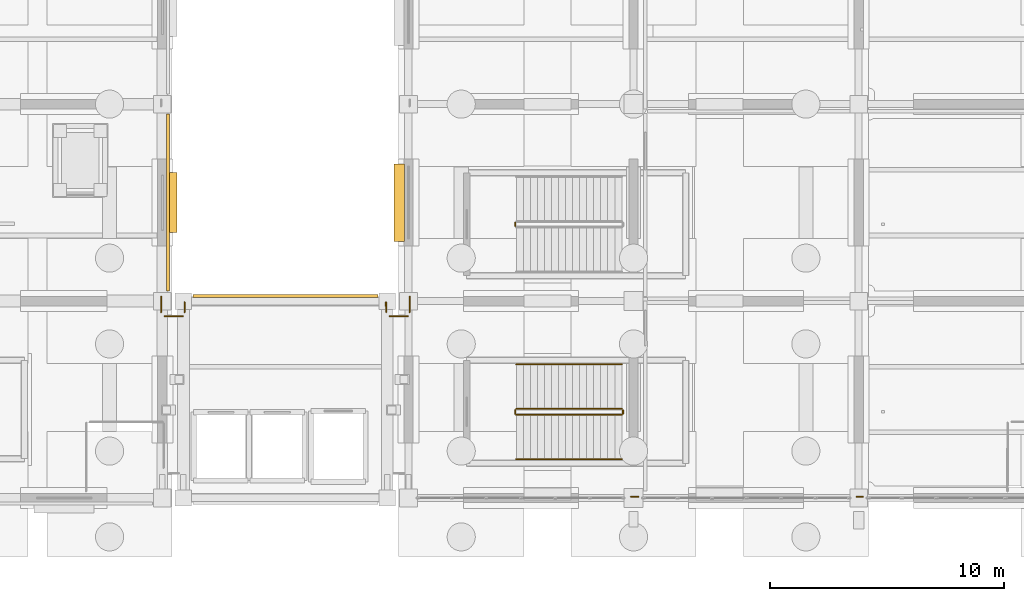
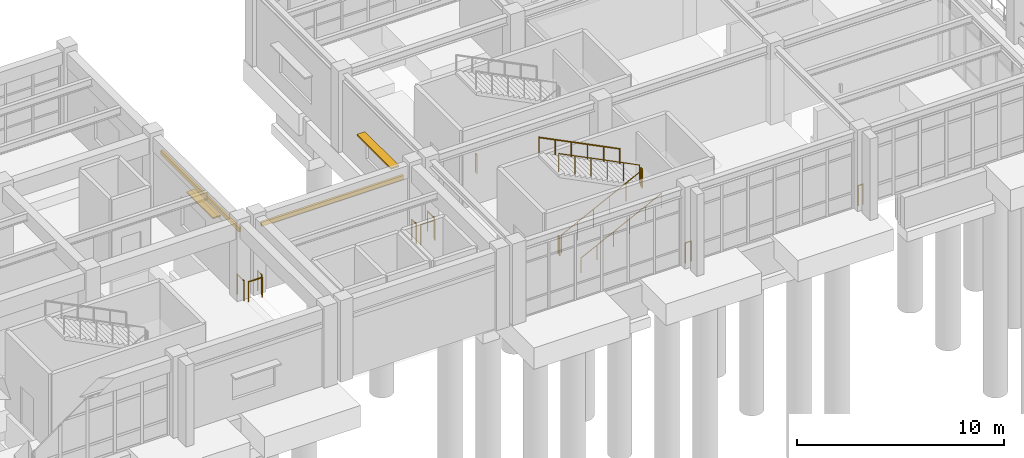
# One storey, part 104 of 111: 15 railings, 2 coverings, 2 shading devices.
"""IFC4 building model written with IfcOpenShell, lengths in metres."""

import ifcopenshell
import ifcopenshell.guid

model = None  # the IFC model being written
_history = None  # IfcOwnerHistory: only IFC2X3 demands one
_inside = {}  # id of a spatial element -> (the spatial element, [elements in it])
_under = {}  # id of a project, library or spatial element -> (it, [spatial elements below it])
_declared = {}  # id of a project -> (the project, [libraries it declares])
_typed = {}  # id of a type object -> (the type object, [elements of that type])
_made_of = {}  # id of a material, layer set ... -> (it, [elements and type objects made of it])


def new_model(schema):
    """Start an empty IFC model of exactly this schema.

    Asked for "IFC4X3", IfcOpenShell would pick the latest addendum, in which some entities
    have other attributes; the version numbers below select the first issue.
    IFC2X3 requires an IfcOwnerHistory on every rooted entity: one is made here for all.
    """
    global model, _history
    if schema == "IFC4X3":
        model = ifcopenshell.file(schema_version=(4, 3, 0, 0))
    else:
        model = ifcopenshell.file(schema=schema)
    _inside.clear()
    _under.clear()
    _declared.clear()
    _typed.clear()
    _made_of.clear()
    _history = None
    if model.schema == "IFC2X3":
        org = make("IfcOrganization", Name="unknown")
        user = make(
            "IfcPersonAndOrganization",
            ThePerson=make("IfcPerson", FamilyName="unknown"),
            TheOrganization=org,
        )
        app = make(
            "IfcApplication",
            ApplicationDeveloper=org,
            Version="unknown",
            ApplicationFullName="unknown",
            ApplicationIdentifier="unknown",
        )
        _history = make(
            "IfcOwnerHistory",
            OwningUser=user,
            OwningApplication=app,
            ChangeAction="ADDED",
            CreationDate=0,
        )
    return model


def make(cls, **values):
    """One entity of the class cls with the attributes given. An attribute that is None is left unset."""
    return model.create_entity(
        cls, **{name: value for name, value in values.items() if value is not None}
    )


def rooted(cls, **values):
    """An entity with a GlobalId (a new one), such as an element, a storey or a relation."""
    return make(cls, GlobalId=ifcopenshell.guid.new(), OwnerHistory=_history, **values)


def si_unit(unit_type, name, prefix=None):
    """IfcSIUnit, for example si_unit("LENGTHUNIT", "METRE", prefix="MILLI")."""
    return make("IfcSIUnit", UnitType=unit_type, Prefix=prefix, Name=name)


def assignment(units):
    """IfcUnitAssignment: the units of a project."""
    return None if units is None else make("IfcUnitAssignment", Units=units)


def point(xyz):
    """IfcCartesianPoint."""
    return None if xyz is None else make("IfcCartesianPoint", Coordinates=xyz)


def direction(xyz):
    """IfcDirection."""
    return None if xyz is None else make("IfcDirection", DirectionRatios=xyz)


def frame(location, z_axis=None, x_axis=None):
    """IfcAxis2Placement3D, a coordinate frame: its origin and axes. An axis left out is left unset."""
    return make(
        "IfcAxis2Placement3D",
        Location=point(location),
        Axis=direction(z_axis),
        RefDirection=direction(x_axis),
    )


def frame_2d(location, x_axis=None):
    """IfcAxis2Placement2D, a coordinate frame in the plane: its origin and x axis."""
    return make(
        "IfcAxis2Placement2D", Location=point(location), RefDirection=direction(x_axis)
    )


def origin():
    """The frame at (0, 0, 0) with its axes left unset."""
    return frame((0.0, 0.0, 0.0))


def origin_2d():
    """The frame at (0, 0) in the plane with its x axis left unset."""
    return frame_2d((0.0, 0.0))


def place(relative_to, where):
    """IfcLocalPlacement: puts the frame where relative to a parent placement (None: the world)."""
    return make(
        "IfcLocalPlacement", PlacementRelTo=relative_to, RelativePlacement=where
    )


def context(
    kind, dimensions, precision=None, world=None, true_north=None, identifier=None
):
    """IfcGeometricRepresentationContext, for example the 3D "Model" context."""
    return make(
        "IfcGeometricRepresentationContext",
        ContextIdentifier=identifier,
        ContextType=kind,
        CoordinateSpaceDimension=dimensions,
        Precision=precision,
        WorldCoordinateSystem=world,
        TrueNorth=true_north,
    )


def subcontext(parent, identifier, kind, view, scale=None):
    """IfcGeometricRepresentationSubContext, for example "Body" below "Model"."""
    return make(
        "IfcGeometricRepresentationSubContext",
        ContextIdentifier=identifier,
        ContextType=kind,
        ParentContext=parent,
        TargetScale=scale,
        TargetView=view,
    )


def project(units=None, contexts=None):
    """IfcProject with its units and contexts."""
    return rooted(
        "IfcProject",
        Name="project",
        RepresentationContexts=contexts,
        UnitsInContext=assignment(units),
    )


def spatial(cls, under=None, at=None, **own):
    """A site, building, storey or space (cls), placed at a placement, below another one or the project."""
    s = rooted(cls, ObjectPlacement=at, **own)
    if under is not None:
        _under.setdefault(under.id(), (under, []))[1].append(s)
    return s


def profile(cls, at=None, kind="AREA", **sizes):
    """A parametric profile (cls). Its sizes go by their IFC names, for example OverallWidth=200.0."""
    return make(cls, ProfileType=kind, Position=at, **sizes)


def rectangle(**sizes):
    """IfcRectangleProfileDef."""
    return profile("IfcRectangleProfileDef", **sizes)


def circle(**sizes):
    """IfcCircleProfileDef."""
    return profile("IfcCircleProfileDef", **sizes)


def extrude(swept, where, along, depth):
    """IfcExtrudedAreaSolid: the profile swept, set in the frame where, extruded along a direction by depth."""
    return make(
        "IfcExtrudedAreaSolid",
        SweptArea=swept,
        Position=where,
        ExtrudedDirection=direction(along),
        Depth=depth,
    )


def shape(context_of_items, identifier, shape_type, items):
    """IfcShapeRepresentation: the items that make up one representation, for example the "Body"."""
    return make(
        "IfcShapeRepresentation",
        ContextOfItems=context_of_items,
        RepresentationIdentifier=identifier,
        RepresentationType=shape_type,
        Items=items,
    )


def material(Name=None, Category=None):
    """IfcMaterial."""
    return make("IfcMaterial", Name=Name, Category=Category)


def layer(
    of_material, thickness, ventilated=None, Name=None, Category=None, Priority=None
):
    """IfcMaterialLayer: one layer of a wall or slab, of a material (None: an air gap)."""
    return make(
        "IfcMaterialLayer",
        Material=of_material,
        LayerThickness=thickness,
        IsVentilated=ventilated,
        Name=Name,
        Category=Category,
        Priority=Priority,
    )


def layer_set(layers, Name=None):
    """IfcMaterialLayerSet."""
    return make("IfcMaterialLayerSet", MaterialLayers=layers, LayerSetName=Name)


def made_of(thing, what):
    """Note that an element or type object is made of a material, layer set ...; save() writes the relation."""
    if what is not None:
        _made_of.setdefault(what.id(), (what, []))[1].append(thing)
    return thing


def type_object(cls, material=None, **own):
    """A type object (cls), such as IfcWallType, which elements share."""
    return made_of(rooted(cls, **own), material)


def element(
    cls,
    number,
    at=None,
    inside=None,
    cuts=None,
    type_object=None,
    material=None,
    context=None,
    identifier="Body",
    shape_type=None,
    held_by="IfcProductDefinitionShape",
    body=None,
    shapes=None,
    **own,
):
    """One element of the class cls, such as IfcWall. Its Tag is "e" and its number.

    at: its placement. inside: the storey or other place that contains it. cuts: it is an
    opening in that element (IfcRelVoidsElement). A single representation is given by context,
    identifier, shape_type and body (its items); several are given by shapes. held_by: the class
    of the entity that holds the representations. save() writes the other relations.
    """
    e = rooted(cls, Tag="e%d" % number, ObjectPlacement=at, **own)
    if body is not None:
        shapes = [shape(context, identifier, shape_type, body)]
    if shapes is not None:
        e.Representation = make(held_by, Representations=shapes)
    if inside is not None:
        _inside.setdefault(inside.id(), (inside, []))[1].append(e)
    if cuts is not None:
        rooted(
            "IfcRelVoidsElement", RelatingBuildingElement=cuts, RelatedOpeningElement=e
        )
    if type_object is not None:
        _typed.setdefault(type_object.id(), (type_object, []))[1].append(e)
    return made_of(e, material)


def aggregate(whole, parts):
    """IfcRelAggregates: a whole, such as a stair, and the parts it consists of."""
    return rooted("IfcRelAggregates", RelatingObject=whole, RelatedObjects=parts)


def save(model, path):
    """Write the relations noted so far, then the file.

    IfcRelAggregates (storeys below a building ...), IfcRelContainedInSpatialStructure (elements
    in a storey), IfcRelDefinesByType, IfcRelAssociatesMaterial and IfcRelDeclares: one each for
    every whole, place, type object, material and project.
    """
    for whole, parts in _under.values():
        aggregate(whole, parts)
    for where, things in _inside.values():
        rooted(
            "IfcRelContainedInSpatialStructure",
            RelatedElements=things,
            RelatingStructure=where,
        )
    for kind, things in _typed.values():
        rooted("IfcRelDefinesByType", RelatedObjects=things, RelatingType=kind)
    for what, things in _made_of.values():
        rooted("IfcRelAssociatesMaterial", RelatedObjects=things, RelatingMaterial=what)
    for by, libraries in _declared.values():
        rooted("IfcRelDeclares", RelatingContext=by, RelatedDefinitions=libraries)
    model.write(path)


model = new_model("IFC4")

# Units and contexts
model_context = context("Model", 3, precision=1e-05, world=origin(), true_north=direction((0.0, 1.0)))
body_context = subcontext(model_context, "Body", "Model", "MODEL_VIEW")
ifc_project = project(units=[si_unit("LENGTHUNIT", "METRE"), si_unit("AREAUNIT", "SQUARE_METRE"), si_unit("VOLUMEUNIT", "CUBIC_METRE"), si_unit("PLANEANGLEUNIT", "RADIAN"), si_unit("MASSUNIT", "GRAM", prefix="KILO")], contexts=[model_context])

# Site, building, storey
site_placement = place(None, origin())
site = spatial("IfcSite", under=ifc_project, at=site_placement, CompositionType="ELEMENT")
building_placement = place(site_placement, origin())
building = spatial("IfcBuilding", under=site, at=building_placement, Name="Canglan Escarpment Cableway Terminal", CompositionType="ELEMENT")
storey_placement = place(building_placement, frame((0.0, 0.0, 4.800048828125)))
storey = spatial("IfcBuildingStorey", under=building, at=storey_placement, Name="L01", CompositionType="ELEMENT", Elevation=4.800048828125)

# Coverings
ifc_material_1 = material(Name="Carved classical limestone cornice", Category="masonry")
ifc_layer_1 = layer(ifc_material_1, 0.1201171875, Name="Carved classical limestone cornice")
ifc_layer_set_1 = layer_set([ifc_layer_1], Name="Carved classical limestone cornice")
covering_type = type_object("IfcCoveringType", Name="COV-CORNICE-STONE", PredefinedType="CLADDING", material=ifc_layer_set_1)
covering_1_placement = place(storey_placement, frame((136.93994140625, 20.60009765625, 3.4248046875), z_axis=(0.0, 0.0, 1.0), x_axis=(0.0, 1.0, 0.0)))
element("IfcCovering", 1, at=covering_1_placement, inside=storey, type_object=covering_type, Name="Classical carved limestone cornice CL-01", PredefinedType="CLADDING", context=body_context, shape_type="SweptSolid", body=[
    extrude(rectangle(XDim=7.550048828125, YDim=0.1201171875, at=origin_2d()), origin(), (0.0, 0.0, 1.0), 0.239990234375),
])
covering_2_placement = place(storey_placement, frame((141.949951171875, 16.6201171875, 3.52490234375), z_axis=(0.0, 0.0, 1.0), x_axis=(-1.0, 0.0, 0.0)))
element("IfcCovering", 2, at=covering_2_placement, inside=storey, type_object=covering_type, Name="Classical carved limestone cornice CL-01", PredefinedType="CLADDING", context=body_context, shape_type="SweptSolid", body=[
    extrude(rectangle(XDim=7.89990234375, YDim=0.1201171875, at=origin_2d()), origin(), (0.0, 0.0, 1.0), 0.239990234375),
])

# Railings
ifc_material_2 = material(Name="Carved limestone and anodized bronze balustrade", Category="masonry")
railing_type_1 = type_object("IfcRailingType", Name="RL-EXT-BALUSTRADE-1200", PredefinedType="BALUSTRADE", material=ifc_material_2)
railing_1_placement = place(storey_placement, frame((136.64990234375, 16.5849609375, 0.0)))
element("IfcRailing", 3, at=railing_1_placement, inside=storey, type_object=railing_type_1, Name="Classical terrace balustrade guard GD-01 (L01)", PredefinedType="BALUSTRADE", context=body_context, shape_type="SweptSolid", body=[
    extrude(circle(Radius=0.02392578125, at=origin_2d()), frame((0.0, 0.0, 1.17578125), z_axis=(0.0, -1.0, 0.0), x_axis=(1.0, 0.0, 0.0)), (0.0, 0.0, 1.0), 0.655029296875),
    extrude(circle(Radius=0.02099609375, at=origin_2d()), origin(), (0.0, 0.0, 1.0), 1.15185546875),
    extrude(circle(Radius=0.02099609375, at=origin_2d()), frame((0.0, -0.655029296875, 0.0)), (0.0, 0.0, 1.0), 1.15185546875),
])
railing_2_placement = place(storey_placement, frame((136.79931640625, 15.756103515625, 0.0)))
element("IfcRailing", 4, at=railing_2_placement, inside=storey, type_object=railing_type_1, Name="Classical terrace balustrade guard GD-01 (L01)", PredefinedType="BALUSTRADE", context=body_context, shape_type="SweptSolid", body=[
    extrude(circle(Radius=0.02392578125, at=origin_2d()), frame((0.0, 0.0, 1.17578125), z_axis=(0.999968646904, -0.007918662076, 0.0), x_axis=(0.007918662076, 0.999968646904, 0.0)), (0.0, 0.0, 1.0), 0.770751953125),
    extrude(circle(Radius=0.02099609375, at=origin_2d()), origin(), (0.0, 0.0, 1.0), 1.15185546875),
    extrude(circle(Radius=0.02099609375, at=origin_2d()), frame((0.770751953125, -0.006103515625, 0.0)), (0.0, 0.0, 1.0), 1.15185546875),
])
railing_3_placement = place(storey_placement, frame((137.64990234375, 15.929931640625, 0.0)))
element("IfcRailing", 5, at=railing_3_placement, inside=storey, type_object=railing_type_1, Name="Classical terrace balustrade guard GD-01 (L01)", PredefinedType="BALUSTRADE", context=body_context, shape_type="SweptSolid", body=[
    extrude(circle(Radius=0.02392578125, at=origin_2d()), frame((0.0, 0.0, 1.17578125), z_axis=(0.0, 1.0, 0.0), x_axis=(-1.0, 0.0, 0.0)), (0.0, 0.0, 1.0), 0.41796875),
    extrude(circle(Radius=0.02099609375, at=origin_2d()), origin(), (0.0, 0.0, 1.0), 1.15185546875),
    extrude(circle(Radius=0.02099609375, at=origin_2d()), frame((0.0, 0.41796875, 0.0)), (0.0, 0.0, 1.0), 1.15185546875),
])
railing_4_placement = place(storey_placement, frame((146.239990234375, 16.35009765625, 0.0)))
element("IfcRailing", 6, at=railing_4_placement, inside=storey, type_object=railing_type_1, Name="Classical terrace balustrade guard GD-01 (L01)", PredefinedType="BALUSTRADE", context=body_context, shape_type="SweptSolid", body=[
    extrude(circle(Radius=0.02392578125, at=origin_2d()), frame((0.0, 0.0, 1.17578125), z_axis=(0.023816600887, -0.999716344531, 0.0), x_axis=(0.999716344531, 0.023816600887, 0.0)), (0.0, 0.0, 1.0), 0.420166015625),
    extrude(circle(Radius=0.02099609375, at=origin_2d()), origin(), (0.0, 0.0, 1.0), 1.15185546875),
    extrude(circle(Radius=0.02099609375, at=origin_2d()), frame((0.010009765625, -0.420166015625, 0.0)), (0.0, 0.0, 1.0), 1.15185546875),
])
railing_5_placement = place(storey_placement, frame((146.3994140625, 15.756103515625, 0.0)))
element("IfcRailing", 7, at=railing_5_placement, inside=storey, type_object=railing_type_1, Name="Classical terrace balustrade guard GD-01 (L01)", PredefinedType="BALUSTRADE", context=body_context, shape_type="SweptSolid", body=[
    extrude(circle(Radius=0.02392578125, at=origin_2d()), frame((0.0, 0.0, 1.17578125), z_axis=(0.999968627033, -0.007921171, 0.0), x_axis=(0.007921171, 0.999968627033, 0.0)), (0.0, 0.0, 1.0), 0.7705078125),
    extrude(circle(Radius=0.02099609375, at=origin_2d()), origin(), (0.0, 0.0, 1.0), 1.15185546875),
    extrude(circle(Radius=0.02099609375, at=origin_2d()), frame((0.7705078125, -0.006103515625, 0.0)), (0.0, 0.0, 1.0), 1.15185546875),
])
railing_6_placement = place(storey_placement, frame((147.25, 15.929931640625, 0.0)))
element("IfcRailing", 8, at=railing_6_placement, inside=storey, type_object=railing_type_1, Name="Classical terrace balustrade guard GD-01 (L01)", PredefinedType="BALUSTRADE", context=body_context, shape_type="SweptSolid", body=[
    extrude(circle(Radius=0.02392578125, at=origin_2d()), frame((0.0, 0.0, 1.17578125), z_axis=(0.0, 1.0, 0.0), x_axis=(-1.0, 0.0, 0.0)), (0.0, 0.0, 1.0), 0.655029296875),
    extrude(circle(Radius=0.02099609375, at=origin_2d()), origin(), (0.0, 0.0, 1.0), 1.15185546875),
    extrude(circle(Radius=0.02099609375, at=origin_2d()), frame((0.0, 0.655029296875, 0.0)), (0.0, 0.0, 1.0), 1.15185546875),
])
railing_7_placement = place(storey_placement, frame((166.5849609375, 8.050048828125, 0.0)))
element("IfcRailing", 9, at=railing_7_placement, inside=storey, type_object=railing_type_1, Name="Classical terrace balustrade guard GD-01 (L01)", PredefinedType="BALUSTRADE", context=body_context, shape_type="SweptSolid", body=[
    extrude(circle(Radius=0.02392578125, at=origin_2d()), frame((0.0, 0.0, 1.17578125), z_axis=(-1.0, 0.0, 0.0), x_axis=(0.0, -1.0, 0.0)), (0.0, 0.0, 1.0), 0.27001953125),
    extrude(circle(Radius=0.02099609375, at=origin_2d()), origin(), (0.0, 0.0, 1.0), 1.15185546875),
    extrude(circle(Radius=0.02099609375, at=origin_2d()), frame((-0.27001953125, 0.0, 0.0)), (0.0, 0.0, 1.0), 1.15185546875),
])
railing_8_placement = place(storey_placement, frame((157.010009765625, 8.050048828125, 0.0)))
element("IfcRailing", 10, at=railing_8_placement, inside=storey, type_object=railing_type_1, Name="Classical terrace balustrade guard GD-01 (L01)", PredefinedType="BALUSTRADE", context=body_context, shape_type="SweptSolid", body=[
    extrude(circle(Radius=0.02392578125, at=origin_2d()), frame((0.0, 0.0, 1.17578125), z_axis=(-1.0, 0.0, 0.0), x_axis=(0.0, -1.0, 0.0)), (0.0, 0.0, 1.0), 0.320068359375),
    extrude(circle(Radius=0.02099609375, at=origin_2d()), origin(), (0.0, 0.0, 1.0), 1.15185546875),
    extrude(circle(Radius=0.02099609375, at=origin_2d()), frame((-0.320068359375, 0.0, 0.0)), (0.0, 0.0, 1.0), 1.15185546875),
])
ifc_material_3 = material(Name="Powder-coated steel stair balustrade", Category="steel")
railing_type_2 = type_object("IfcRailingType", Name="RL-STR-GUARD-1100", PredefinedType="BALUSTRADE", material=ifc_material_3)
railing_9_placement = place(storey_placement, frame((151.800048828125, 11.550048828125, 0.14990234375)))
element("IfcRailing", 11, at=railing_9_placement, inside=storey, type_object=railing_type_2, Name="L01 ST-08 stair guard 1", PredefinedType="BALUSTRADE", context=body_context, shape_type="SweptSolid", body=[
    extrude(circle(Radius=0.02392578125, at=origin_2d()), frame((0.0, 0.0, 1.076171875), z_axis=(0.894427191, 0.0, 0.4472135955), x_axis=(0.0, 1.0, 0.0)), (0.0, 0.0, 1.0), 5.03125),
    extrude(circle(Radius=0.02099609375, at=origin_2d()), origin(), (0.0, 0.0, 1.0), 1.052001953125),
    extrude(circle(Radius=0.02099609375, at=origin_2d()), frame((0.89990234375, 0.0, 0.449951171875)), (0.0, 0.0, 1.0), 1.052001953125),
    extrude(circle(Radius=0.02099609375, at=origin_2d()), frame((1.800048828125, 0.0, 0.89990234375)), (0.0, 0.0, 1.0), 1.052001953125),
    extrude(circle(Radius=0.02099609375, at=origin_2d()), frame((2.699951171875, 0.0, 1.35009765625)), (0.0, 0.0, 1.0), 1.052001953125),
    extrude(circle(Radius=0.02099609375, at=origin_2d()), frame((3.60009765625, 0.0, 1.800048828125)), (0.0, 0.0, 1.0), 1.052001953125),
    extrude(circle(Radius=0.02099609375, at=origin_2d()), frame((4.5, 0.0, 2.25)), (0.0, 0.0, 1.0), 1.052001953125),
])
railing_10_placement = place(storey_placement, frame((156.35009765625, 11.60009765625, 2.39990234375)))
element("IfcRailing", 12, at=railing_10_placement, inside=storey, type_object=railing_type_2, Name="L01 ST-08 stair guard 2", PredefinedType="BALUSTRADE", context=body_context, shape_type="SweptSolid", body=[
    extrude(circle(Radius=0.02392578125, at=origin_2d()), frame((0.0, 0.0, 1.076171875), z_axis=(0.0, 1.0, 0.0), x_axis=(-1.0, 0.0, 0.0)), (0.0, 0.0, 1.0), 0.14990234375),
    extrude(circle(Radius=0.02099609375, at=origin_2d()), origin(), (0.0, 0.0, 1.0), 1.052001953125),
    extrude(circle(Radius=0.02099609375, at=origin_2d()), frame((0.0, 0.14990234375, 0.0)), (0.0, 0.0, 1.0), 1.052001953125),
])
railing_11_placement = place(storey_placement, frame((156.300048828125, 11.800048828125, 2.550048828125)))
element("IfcRailing", 13, at=railing_11_placement, inside=storey, type_object=railing_type_2, Name="L01 ST-08 stair guard 3", PredefinedType="BALUSTRADE", context=body_context, shape_type="SweptSolid", body=[
    extrude(circle(Radius=0.02392578125, at=origin_2d()), frame((0.0, 0.0, 1.076171875), z_axis=(-0.894427191, 0.0, 0.4472135955), x_axis=(0.0, -1.0, 0.0)), (0.0, 0.0, 1.0), 5.03125),
    extrude(circle(Radius=0.02099609375, at=origin_2d()), origin(), (0.0, 0.0, 1.0), 1.052001953125),
    extrude(circle(Radius=0.02099609375, at=origin_2d()), frame((-0.89990234375, 0.0, 0.449951171875)), (0.0, 0.0, 1.0), 1.052001953125),
    extrude(circle(Radius=0.02099609375, at=origin_2d()), frame((-1.800048828125, 0.0, 0.89990234375)), (0.0, 0.0, 1.0), 1.052001953125),
    extrude(circle(Radius=0.02099609375, at=origin_2d()), frame((-2.699951171875, 0.0, 1.35009765625)), (0.0, 0.0, 1.0), 1.052001953125),
    extrude(circle(Radius=0.02099609375, at=origin_2d()), frame((-3.60009765625, 0.0, 1.800048828125)), (0.0, 0.0, 1.0), 1.052001953125),
    extrude(circle(Radius=0.02099609375, at=origin_2d()), frame((-4.5, 0.0, 2.25)), (0.0, 0.0, 1.0), 1.052001953125),
])
for number, where, name in (
    (14, (151.75, 11.60009765625, 0.0), "L01 ST-08 stair guard 4"),
    (15, (151.75, 19.60009765625, 0.0), "L01 ST-09 stair guard 4"),
):
    element("IfcRailing", number, at=place(storey_placement, frame(where)), inside=storey, type_object=railing_type_2, Name=name, PredefinedType="BALUSTRADE", context=body_context, shape_type="SweptSolid", body=[
        extrude(circle(Radius=0.02392578125, at=origin_2d()), frame((0.0, 0.0, 1.076171875), z_axis=(0.0, 1.0, 0.0), x_axis=(-1.0, 0.0, 0.0)), (0.0, 0.0, 1.0), 0.14990234375),
        extrude(circle(Radius=0.02099609375, at=origin_2d()), origin(), (0.0, 0.0, 1.0), 1.052001953125),
        extrude(circle(Radius=0.02099609375, at=origin_2d()), frame((0.0, 0.14990234375, 0.0)), (0.0, 0.0, 1.0), 1.052001953125),
    ])
ifc_material_4 = material(Name="Brushed stainless steel 304 handrail", Category="steel")
railing_type_3 = type_object("IfcRailingType", Name="RL-STR-HR-900", PredefinedType="HANDRAIL", material=ifc_material_4)
railing_12_placement = place(storey_placement, frame((151.800048828125, 9.64990234375, 0.14990234375)))
element("IfcRailing", 16, at=railing_12_placement, inside=storey, type_object=railing_type_3, Name="L01 ST-08 stair handrail 1", PredefinedType="HANDRAIL", context=body_context, shape_type="SweptSolid", body=[
    extrude(circle(Radius=0.02392578125, at=origin_2d()), frame((0.0, 0.0, 0.8759765625), z_axis=(0.894427191, 0.0, 0.4472135955), x_axis=(0.0, 1.0, 0.0)), (0.0, 0.0, 1.0), 5.03125),
    extrude(circle(Radius=0.02099609375, at=origin_2d()), origin(), (0.0, 0.0, 1.0), 0.851806640625),
    extrude(circle(Radius=0.02099609375, at=origin_2d()), frame((0.89990234375, 0.0, 0.449951171875)), (0.0, 0.0, 1.0), 0.851806640625),
    extrude(circle(Radius=0.02099609375, at=origin_2d()), frame((1.800048828125, 0.0, 0.89990234375)), (0.0, 0.0, 1.0), 0.851806640625),
    extrude(circle(Radius=0.02099609375, at=origin_2d()), frame((2.699951171875, 0.0, 1.35009765625)), (0.0, 0.0, 1.0), 0.851806640625),
    extrude(circle(Radius=0.02099609375, at=origin_2d()), frame((3.60009765625, 0.0, 1.800048828125)), (0.0, 0.0, 1.0), 0.851806640625),
    extrude(circle(Radius=0.02099609375, at=origin_2d()), frame((4.5, 0.0, 2.25)), (0.0, 0.0, 1.0), 0.851806640625),
])
railing_13_placement = place(storey_placement, frame((156.300048828125, 13.699951171875, 2.550048828125)))
element("IfcRailing", 17, at=railing_13_placement, inside=storey, type_object=railing_type_3, Name="L01 ST-08 stair handrail 2", PredefinedType="HANDRAIL", context=body_context, shape_type="SweptSolid", body=[
    extrude(circle(Radius=0.02392578125, at=origin_2d()), frame((0.0, 0.0, 0.8759765625), z_axis=(-0.894427191, 0.0, 0.4472135955), x_axis=(0.0, -1.0, 0.0)), (0.0, 0.0, 1.0), 5.03125),
    extrude(circle(Radius=0.02099609375, at=origin_2d()), origin(), (0.0, 0.0, 1.0), 0.851806640625),
    extrude(circle(Radius=0.02099609375, at=origin_2d()), frame((-0.89990234375, 0.0, 0.449951171875)), (0.0, 0.0, 1.0), 0.851806640625),
    extrude(circle(Radius=0.02099609375, at=origin_2d()), frame((-1.800048828125, 0.0, 0.89990234375)), (0.0, 0.0, 1.0), 0.851806640625),
    extrude(circle(Radius=0.02099609375, at=origin_2d()), frame((-2.699951171875, 0.0, 1.35009765625)), (0.0, 0.0, 1.0), 0.851806640625),
    extrude(circle(Radius=0.02099609375, at=origin_2d()), frame((-3.60009765625, 0.0, 1.800048828125)), (0.0, 0.0, 1.0), 0.851806640625),
    extrude(circle(Radius=0.02099609375, at=origin_2d()), frame((-4.5, 0.0, 2.25)), (0.0, 0.0, 1.0), 0.851806640625),
])

# Shading devices
ifc_material_5 = material(Name="Anodized architectural bronze aluminium", Category="aluminium")
ifc_layer_2 = layer(ifc_material_5, 0.080078125, Name="Anodized architectural bronze aluminium")
ifc_layer_set_2 = layer_set([ifc_layer_2], Name="Anodized architectural bronze aluminium")
shading_device_type_1 = type_object("IfcShadingDeviceType", Name="SHD-BRONZE-LOUVRE-01", PredefinedType="JALOUSIE", material=ifc_layer_set_2)
shading_device_1_placement = place(storey_placement, frame((146.81494140625, 20.60009765625, 2.419921875), z_axis=(0.0, 0.0, 1.0), x_axis=(0.0, -1.0, 0.0)))
element("IfcShadingDevice", 18, at=shading_device_1_placement, inside=storey, type_object=shading_device_type_1, Name="Anodized bronze sun-shading brise-soleil SD-01", PredefinedType="JALOUSIE", context=body_context, shape_type="SweptSolid", body=[
    extrude(rectangle(XDim=3.300048828125, YDim=0.449951171875, at=origin_2d()), origin(), (0.0, 0.0, 1.0), 0.080078125),
])
ifc_layer_3 = layer(ifc_material_5, 0.10009765625, Name="Anodized architectural bronze aluminium")
ifc_layer_set_3 = layer_set([ifc_layer_3], Name="Anodized architectural bronze aluminium")
shading_device_type_2 = type_object("IfcShadingDeviceType", Name="SHD-BRONZE-LOUVRE-02", PredefinedType="JALOUSIE", material=ifc_layer_set_3)
shading_device_2_placement = place(storey_placement, frame((137.10498046875, 20.60009765625, 2.669921875), z_axis=(0.0, 0.0, 1.0), x_axis=(0.0, 1.0, 0.0)))
element("IfcShadingDevice", 19, at=shading_device_2_placement, inside=storey, type_object=shading_device_type_2, Name="Anodized bronze sun-shading brise-soleil SD-01", PredefinedType="JALOUSIE", context=body_context, shape_type="SweptSolid", body=[
    extrude(rectangle(XDim=2.550048828125, YDim=0.449951171875, at=origin_2d()), origin(), (0.0, 0.0, 1.0), 0.080078125),
])

save(model, "model.ifc")
